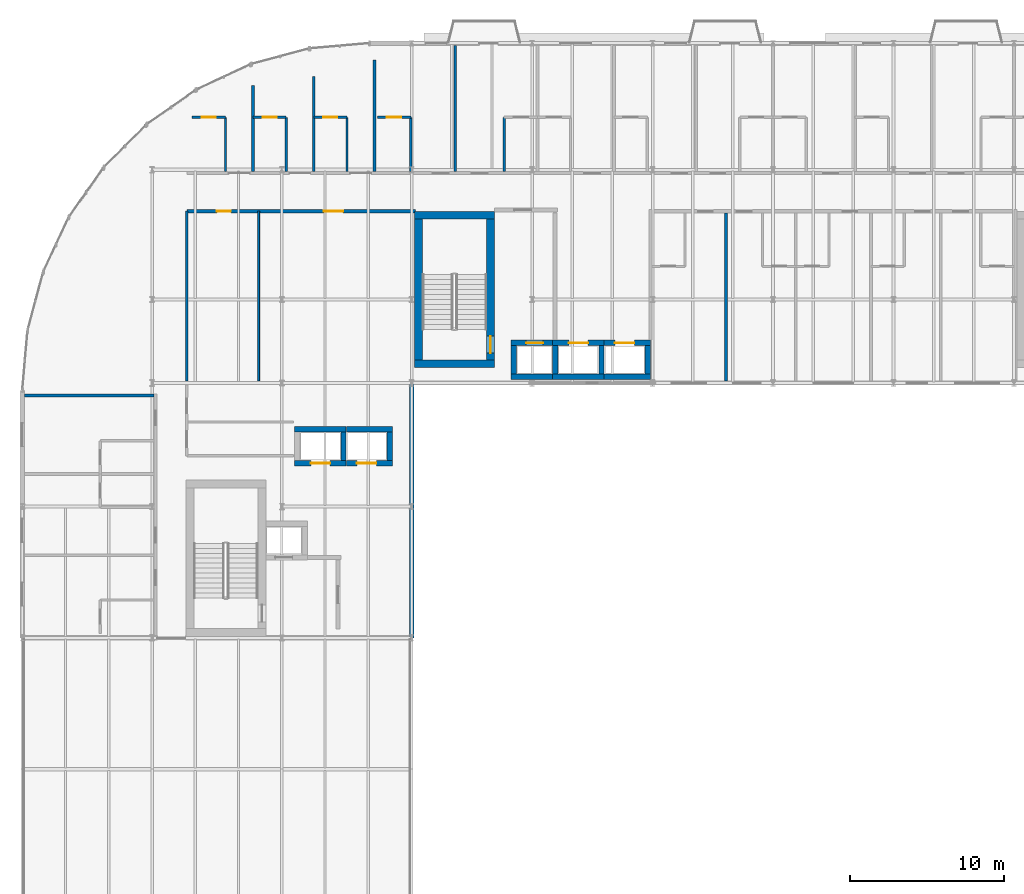
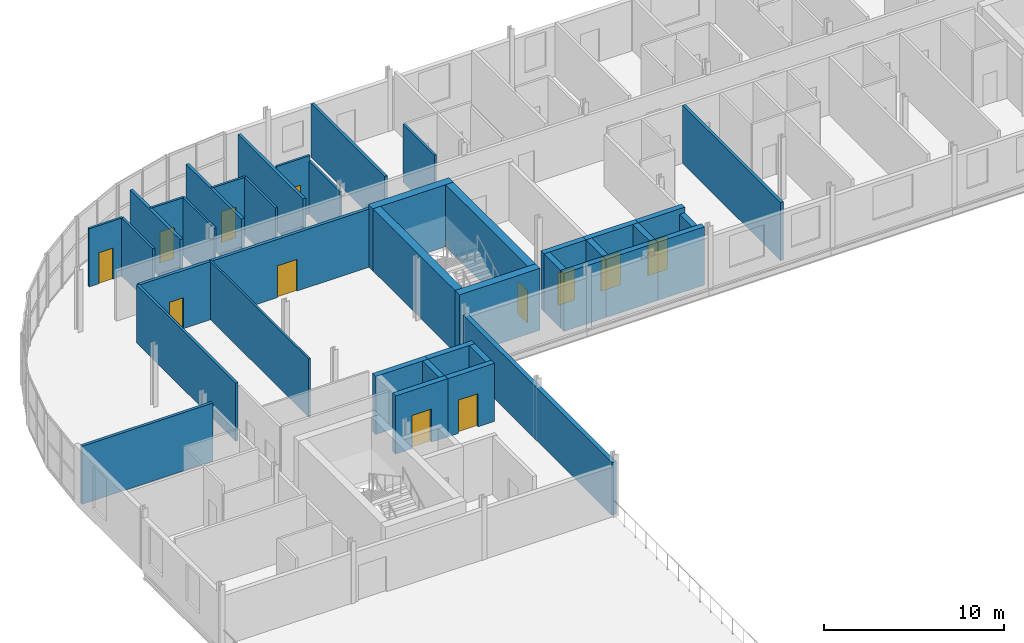
# One storey, part 12 of 22: 39 walls, 12 doors, 12 openings.
"""IFC4 building model written with IfcOpenShell, lengths in metres."""

from ifc_helpers import new_model, si_unit, direction, frame, frame_2d, origin, place, context, subcontext, project, spatial, rectangle, extrude, material, layer, layer_set, type_object, element, fill, save


model = new_model("IFC4")

# Units and contexts
model_context = context("Model", 3, precision=1e-05, world=origin(), true_north=direction((0.0, 1.0)))
body_context = subcontext(model_context, "Body", "Model", "MODEL_VIEW")
ifc_project = project(units=[si_unit("LENGTHUNIT", "METRE"), si_unit("AREAUNIT", "SQUARE_METRE"), si_unit("VOLUMEUNIT", "CUBIC_METRE"), si_unit("PLANEANGLEUNIT", "RADIAN"), si_unit("MASSUNIT", "GRAM", prefix="KILO")], contexts=[model_context])

# Site, building, storey
site_placement = place(None, origin())
site = spatial("IfcSite", under=ifc_project, at=site_placement, CompositionType="ELEMENT")
building_placement = place(site_placement, origin())
building = spatial("IfcBuilding", under=site, at=building_placement, Name="Sefraquen Railside Congress Hotel", CompositionType="ELEMENT")
storey_placement = place(building_placement, frame((0.0, 0.0, 42.60009765625)))
storey = spatial("IfcBuildingStorey", under=building, at=storey_placement, Name="L10", CompositionType="ELEMENT", Elevation=42.60009765625)

# Wall, opening, door
ifc_material_1 = material(Name="Concrete C50/60", Category="concrete")
ifc_layer_1 = layer(ifc_material_1, 0.35009765625)
ifc_layer_set_1 = layer_set([ifc_layer_1], Name="Concrete C50/60")
wall_type_1 = type_object("IfcWallType", Name="TW-CW-350", PredefinedType="SHEAR", material=ifc_layer_set_1)
wall_1_placement = place(storey_placement, frame((31.639892578125, 98.594970703125, 0.0), z_axis=(0.0, 0.0, 1.0), x_axis=(1.0, 0.0, 0.0)))
wall_1 = element("IfcWall", 1, at=wall_1_placement, inside=storey, type_object=wall_type_1, Name="Lift FL-02 shaft wall N L10", PredefinedType="SHEAR", context=body_context, shape_type="SweptSolid", body=[
    extrude(rectangle(XDim=2.690185546875, YDim=0.35009765625, at=frame_2d((1.34521484375, 0.0))), origin(), (0.0, 0.0, 1.0), 3.93994140625),
])
opening_1_placement = place(wall_1_placement, frame((0.969970703125, 0.0, 0.0)))
opening_1 = element("IfcOpeningElement", 2, at=opening_1_placement, cuts=wall_1, Name="Opening LD-01", PredefinedType="OPENING", context=body_context, shape_type="SweptSolid", body=[
    extrude(rectangle(XDim=1.10009765625, YDim=2.199951171875, at=frame_2d((0.550048828125, 1.10009765625))), frame((0.0, 0.18505859375, 0.0), z_axis=(0.0, -1.0, 0.0), x_axis=(1.0, 0.0, 0.0)), (0.0, 0.0, 1.0), 0.3701171875),
])
ifc_material_2 = material(Name="Brushed bronze stainless steel", Category="steel")
door_type_1 = type_object("IfcDoorType", Name="TD-LD-01", OperationType="NOTDEFINED", PredefinedType="DOOR", material=ifc_material_2)
door_1_placement = place(opening_1_placement, origin())
door_1 = element("IfcDoor", 3, at=door_1_placement, inside=storey, type_object=door_type_1, Name="Lift landing door FL-02 L10", OperationType="SLIDING_TO_LEFT", OverallHeight=2.199951171875, OverallWidth=1.10009765625, PredefinedType="DOOR", context=body_context, shape_type="SweptSolid", body=[
    extrude(rectangle(XDim=1.10009765625, YDim=2.199951171875, at=frame_2d((0.550048828125, 1.10009765625))), frame((0.0, 0.02490234375, 0.0), z_axis=(0.0, -1.0, 0.0), x_axis=(1.0, 0.0, 0.0)), (0.0, 0.0, 1.0), 0.050048828125),
])
fill(opening_1, door_1)

# Walls
wall_2_placement = place(storey_placement, frame((31.639892578125, 96.405029296875, 0.0), z_axis=(0.0, 0.0, 1.0), x_axis=(1.0, 0.0, 0.0)))
element("IfcWall", 4, at=wall_2_placement, inside=storey, type_object=wall_type_1, Name="Lift FL-02 shaft wall S L10", PredefinedType="SHEAR", context=body_context, shape_type="SweptSolid", body=[
    extrude(rectangle(XDim=2.690185546875, YDim=0.35009765625, at=frame_2d((1.34521484375, 0.0))), origin(), (0.0, 0.0, 1.0), 3.93994140625),
])
wall_3_placement = place(storey_placement, frame((31.81494140625, 96.580078125, 0.0), z_axis=(0.0, 0.0, 1.0), x_axis=(0.0, 1.0, 0.0)))
element("IfcWall", 5, at=wall_3_placement, inside=storey, type_object=wall_type_1, Name="Lift FL-02 shaft wall W L10", PredefinedType="SHEAR", context=body_context, shape_type="SweptSolid", body=[
    extrude(rectangle(XDim=1.83984375, YDim=0.35009765625, at=frame_2d((0.919921875, 0.0))), origin(), (0.0, 0.0, 1.0), 3.93994140625),
])
wall_4_placement = place(storey_placement, frame((17.6298828125, 92.9951171875, 0.0), z_axis=(0.0, 0.0, 1.0), x_axis=(1.0, 0.0, 0.0)))
element("IfcWall", 6, at=wall_4_placement, inside=storey, type_object=wall_type_1, Name="Lift PL-01 shaft wall N L10", PredefinedType="SHEAR", context=body_context, shape_type="SweptSolid", body=[
    extrude(rectangle(XDim=3.340087890625, YDim=0.35009765625, at=frame_2d((1.669921875, 0.0))), origin(), (0.0, 0.0, 1.0), 3.93994140625),
])

# Wall, opening, door
wall_5_placement = place(storey_placement, frame((17.6298828125, 90.804931640625, 0.0), z_axis=(0.0, 0.0, 1.0), x_axis=(1.0, 0.0, 0.0)))
wall_5 = element("IfcWall", 7, at=wall_5_placement, inside=storey, type_object=wall_type_1, Name="Lift PL-01 shaft wall S L10", PredefinedType="SHEAR", context=body_context, shape_type="SweptSolid", body=[
    extrude(rectangle(XDim=3.340087890625, YDim=0.35009765625, at=frame_2d((1.669921875, 0.0))), origin(), (0.0, 0.0, 1.0), 3.93994140625),
])
opening_2_placement = place(wall_5_placement, frame((1.044921875, 0.0, 0.0)))
opening_2 = element("IfcOpeningElement", 8, at=opening_2_placement, cuts=wall_5, Name="Opening LD-02", PredefinedType="OPENING", context=body_context, shape_type="SweptSolid", body=[
    extrude(rectangle(XDim=1.25, YDim=2.25, at=frame_2d((0.625, 1.125))), frame((0.0, 0.18505859375, 0.0), z_axis=(0.0, -1.0, 0.0), x_axis=(1.0, 0.0, 0.0)), (0.0, 0.0, 1.0), 0.3701171875),
])
ifc_material_3 = material(Name="Brushed stainless steel", Category="steel")
door_type_2 = type_object("IfcDoorType", Name="TD-LD-02", OperationType="NOTDEFINED", PredefinedType="DOOR", material=ifc_material_3)
door_2_placement = place(opening_2_placement, origin())
door_2 = element("IfcDoor", 9, at=door_2_placement, inside=storey, type_object=door_type_2, Name="Lift landing door PL-01 L10", OperationType="SLIDING_TO_LEFT", OverallHeight=2.25, OverallWidth=1.25, PredefinedType="DOOR", context=body_context, shape_type="SweptSolid", body=[
    extrude(rectangle(XDim=1.25, YDim=2.25, at=frame_2d((0.625, 1.125))), frame((0.0, 0.02490234375, 0.0), z_axis=(0.0, -1.0, 0.0), x_axis=(1.0, 0.0, 0.0)), (0.0, 0.0, 1.0), 0.050048828125),
])
fill(opening_2, door_2)

# Walls
wall_6_placement = place(storey_placement, frame((20.794921875, 90.97998046875, 0.0), z_axis=(0.0, 0.0, 1.0), x_axis=(0.0, 1.0, 0.0)))
element("IfcWall", 10, at=wall_6_placement, inside=storey, type_object=wall_type_1, Name="Lift PL-01 shaft wall E L10", PredefinedType="SHEAR", context=body_context, shape_type="SweptSolid", body=[
    extrude(rectangle(XDim=1.840087890625, YDim=0.35009765625, at=frame_2d((0.919921875, 0.0))), origin(), (0.0, 0.0, 1.0), 3.93994140625),
])
wall_7_placement = place(storey_placement, frame((20.969970703125, 92.9951171875, 0.0), z_axis=(0.0, 0.0, 1.0), x_axis=(1.0, 0.0, 0.0)))
element("IfcWall", 11, at=wall_7_placement, inside=storey, type_object=wall_type_1, Name="Lift PL-02 shaft wall N L10", PredefinedType="SHEAR", context=body_context, shape_type="SweptSolid", body=[
    extrude(rectangle(XDim=2.989990234375, YDim=0.35009765625, at=frame_2d((1.4951171875, 0.0))), origin(), (0.0, 0.0, 1.0), 3.93994140625),
])

# Wall, opening, door
wall_8_placement = place(storey_placement, frame((20.969970703125, 90.804931640625, 0.0), z_axis=(0.0, 0.0, 1.0), x_axis=(1.0, 0.0, 0.0)))
wall_8 = element("IfcWall", 12, at=wall_8_placement, inside=storey, type_object=wall_type_1, Name="Lift PL-02 shaft wall S L10", PredefinedType="SHEAR", context=body_context, shape_type="SweptSolid", body=[
    extrude(rectangle(XDim=2.989990234375, YDim=0.35009765625, at=frame_2d((1.4951171875, 0.0))), origin(), (0.0, 0.0, 1.0), 3.93994140625),
])
opening_3_placement = place(wall_8_placement, frame((0.695068359375, 0.0, 0.0)))
opening_3 = element("IfcOpeningElement", 13, at=opening_3_placement, cuts=wall_8, Name="Opening LD-02", PredefinedType="OPENING", context=body_context, shape_type="SweptSolid", body=[
    extrude(rectangle(XDim=1.25, YDim=2.25, at=frame_2d((0.625, 1.125))), frame((0.0, 0.18505859375, 0.0), z_axis=(0.0, -1.0, 0.0), x_axis=(1.0, 0.0, 0.0)), (0.0, 0.0, 1.0), 0.3701171875),
])
door_3_placement = place(opening_3_placement, origin())
door_3 = element("IfcDoor", 14, at=door_3_placement, inside=storey, type_object=door_type_2, Name="Lift landing door PL-02 L10", OperationType="SLIDING_TO_LEFT", OverallHeight=2.25, OverallWidth=1.25, PredefinedType="DOOR", context=body_context, shape_type="SweptSolid", body=[
    extrude(rectangle(XDim=1.25, YDim=2.25, at=frame_2d((0.625, 1.125))), frame((0.0, 0.02490234375, 0.0), z_axis=(0.0, -1.0, 0.0), x_axis=(1.0, 0.0, 0.0)), (0.0, 0.0, 1.0), 0.050048828125),
])
fill(opening_3, door_3)

# Wall
wall_9_placement = place(storey_placement, frame((23.784912109375, 90.97998046875, 0.0), z_axis=(0.0, 0.0, 1.0), x_axis=(0.0, 1.0, 0.0)))
element("IfcWall", 15, at=wall_9_placement, inside=storey, type_object=wall_type_1, Name="Lift PL-02 shaft wall E L10", PredefinedType="SHEAR", context=body_context, shape_type="SweptSolid", body=[
    extrude(rectangle(XDim=1.840087890625, YDim=0.35009765625, at=frame_2d((0.919921875, 0.0))), origin(), (0.0, 0.0, 1.0), 3.93994140625),
])

# Wall, opening, door
wall_10_placement = place(storey_placement, frame((34.330078125, 98.594970703125, 0.0), z_axis=(0.0, 0.0, 1.0), x_axis=(1.0, 0.0, 0.0)))
wall_10 = element("IfcWall", 16, at=wall_10_placement, inside=storey, type_object=wall_type_1, Name="Lift PL-03 shaft wall N L10", PredefinedType="SHEAR", context=body_context, shape_type="SweptSolid", body=[
    extrude(rectangle(XDim=3.33984375, YDim=0.35009765625, at=frame_2d((1.669921875, 0.0))), origin(), (0.0, 0.0, 1.0), 3.93994140625),
])
opening_4_placement = place(wall_10_placement, frame((1.044921875, 0.0, 0.0)))
opening_4 = element("IfcOpeningElement", 17, at=opening_4_placement, cuts=wall_10, Name="Opening LD-02", PredefinedType="OPENING", context=body_context, shape_type="SweptSolid", body=[
    extrude(rectangle(XDim=1.25, YDim=2.25, at=frame_2d((0.625, 1.125))), frame((0.0, 0.18505859375, 0.0), z_axis=(0.0, -1.0, 0.0), x_axis=(1.0, 0.0, 0.0)), (0.0, 0.0, 1.0), 0.3701171875),
])
door_4_placement = place(opening_4_placement, origin())
door_4 = element("IfcDoor", 18, at=door_4_placement, inside=storey, type_object=door_type_2, Name="Lift landing door PL-03 L10", OperationType="SLIDING_TO_LEFT", OverallHeight=2.25, OverallWidth=1.25, PredefinedType="DOOR", context=body_context, shape_type="SweptSolid", body=[
    extrude(rectangle(XDim=1.25, YDim=2.25, at=frame_2d((0.625, 1.125))), frame((0.0, 0.02490234375, 0.0), z_axis=(0.0, -1.0, 0.0), x_axis=(1.0, 0.0, 0.0)), (0.0, 0.0, 1.0), 0.050048828125),
])
fill(opening_4, door_4)

# Walls
wall_11_placement = place(storey_placement, frame((34.330078125, 96.405029296875, 0.0), z_axis=(0.0, 0.0, 1.0), x_axis=(1.0, 0.0, 0.0)))
element("IfcWall", 19, at=wall_11_placement, inside=storey, type_object=wall_type_1, Name="Lift PL-03 shaft wall S L10", PredefinedType="SHEAR", context=body_context, shape_type="SweptSolid", body=[
    extrude(rectangle(XDim=3.33984375, YDim=0.35009765625, at=frame_2d((1.669921875, 0.0))), origin(), (0.0, 0.0, 1.0), 3.93994140625),
])
for number, where, z_axis, x_axis, name in (
    (20, (34.5048828125, 96.580078125, 0.0), (0.0, 0.0, 1.0), (0.0, 1.0, 0.0), "Lift PL-03 shaft wall W L10"),
    (21, (37.4951171875, 96.580078125, 0.0), (0.0, 0.0, 1.0), (0.0, 1.0, 0.0), "Lift PL-03 shaft wall E L10"),
):
    element("IfcWall", number, at=place(storey_placement, frame(where, z_axis=z_axis, x_axis=x_axis)), inside=storey, type_object=wall_type_1, Name=name, PredefinedType="SHEAR", context=body_context, shape_type="SweptSolid", body=[
        extrude(rectangle(XDim=1.83984375, YDim=0.35009765625, at=frame_2d((0.919921875, 0.0))), origin(), (0.0, 0.0, 1.0), 3.93994140625),
    ])

# Wall, opening, door
wall_12_placement = place(storey_placement, frame((37.669921875, 98.594970703125, 0.0), z_axis=(0.0, 0.0, 1.0), x_axis=(1.0, 0.0, 0.0)))
wall_12 = element("IfcWall", 22, at=wall_12_placement, inside=storey, type_object=wall_type_1, Name="Lift PL-04 shaft wall N L10", PredefinedType="SHEAR", context=body_context, shape_type="SweptSolid", body=[
    extrude(rectangle(XDim=2.989990234375, YDim=0.35009765625, at=frame_2d((1.4951171875, 0.0))), origin(), (0.0, 0.0, 1.0), 3.93994140625),
])
opening_5_placement = place(wall_12_placement, frame((0.695068359375, 0.0, 0.0)))
opening_5 = element("IfcOpeningElement", 23, at=opening_5_placement, cuts=wall_12, Name="Opening LD-02", PredefinedType="OPENING", context=body_context, shape_type="SweptSolid", body=[
    extrude(rectangle(XDim=1.25, YDim=2.25, at=frame_2d((0.625, 1.125))), frame((0.0, 0.18505859375, 0.0), z_axis=(0.0, -1.0, 0.0), x_axis=(1.0, 0.0, 0.0)), (0.0, 0.0, 1.0), 0.3701171875),
])
door_5_placement = place(opening_5_placement, origin())
door_5 = element("IfcDoor", 24, at=door_5_placement, inside=storey, type_object=door_type_2, Name="Lift landing door PL-04 L10", OperationType="SLIDING_TO_LEFT", OverallHeight=2.25, OverallWidth=1.25, PredefinedType="DOOR", context=body_context, shape_type="SweptSolid", body=[
    extrude(rectangle(XDim=1.25, YDim=2.25, at=frame_2d((0.625, 1.125))), frame((0.0, 0.02490234375, 0.0), z_axis=(0.0, -1.0, 0.0), x_axis=(1.0, 0.0, 0.0)), (0.0, 0.0, 1.0), 0.050048828125),
])
fill(opening_5, door_5)

# Walls
wall_13_placement = place(storey_placement, frame((37.669921875, 96.405029296875, 0.0), z_axis=(0.0, 0.0, 1.0), x_axis=(1.0, 0.0, 0.0)))
element("IfcWall", 25, at=wall_13_placement, inside=storey, type_object=wall_type_1, Name="Lift PL-04 shaft wall S L10", PredefinedType="SHEAR", context=body_context, shape_type="SweptSolid", body=[
    extrude(rectangle(XDim=2.989990234375, YDim=0.35009765625, at=frame_2d((1.4951171875, 0.0))), origin(), (0.0, 0.0, 1.0), 3.93994140625),
])
wall_14_placement = place(storey_placement, frame((40.485107421875, 96.580078125, 0.0), z_axis=(0.0, 0.0, 1.0), x_axis=(0.0, 1.0, 0.0)))
element("IfcWall", 26, at=wall_14_placement, inside=storey, type_object=wall_type_1, Name="Lift PL-04 shaft wall E L10", PredefinedType="SHEAR", context=body_context, shape_type="SweptSolid", body=[
    extrude(rectangle(XDim=1.83984375, YDim=0.35009765625, at=frame_2d((0.919921875, 0.0))), origin(), (0.0, 0.0, 1.0), 3.56982421875),
])
ifc_layer_2 = layer(ifc_material_1, 0.5)
ifc_layer_set_2 = layer_set([ifc_layer_2], Name="Concrete C50/60")
wall_type_2 = type_object("IfcWallType", Name="TW-CW-500", PredefinedType="SHEAR", material=ifc_layer_set_2)
for number, where, z_axis, x_axis, name in (
    (27, (25.39990234375, 106.862060546875, 0.0), (0.0, 0.0, 1.0), (1.0, 0.0, 0.0), "Core shear wall ST-H02 N L10"),
    (28, (25.39990234375, 97.25, 0.0), (0.0, 0.0, 1.0), (1.0, 0.0, 0.0), "Core shear wall ST-H02 S L10"),
):
    element("IfcWall", number, at=place(storey_placement, frame(where, z_axis=z_axis, x_axis=x_axis)), inside=storey, type_object=wall_type_2, Name=name, PredefinedType="SHEAR", context=body_context, shape_type="SweptSolid", body=[
        extrude(rectangle(XDim=5.16015625, YDim=0.5, at=frame_2d((2.580078125, 0.0))), origin(), (0.0, 0.0, 1.0), 4.199951171875),
    ])
wall_15_placement = place(storey_placement, frame((25.64990234375, 97.5, 0.0), z_axis=(0.0, 0.0, 1.0), x_axis=(0.0, 1.0, 0.0)))
element("IfcWall", 29, at=wall_15_placement, inside=storey, type_object=wall_type_2, Name="Core shear wall ST-H02 W L10", PredefinedType="SHEAR", context=body_context, shape_type="SweptSolid", body=[
    extrude(rectangle(XDim=9.112060546875, YDim=0.5, at=frame_2d((4.55615234375, 0.0))), origin(), (0.0, 0.0, 1.0), 4.199951171875),
])

# Wall, opening, door
wall_16_placement = place(storey_placement, frame((30.31005859375, 97.5, 0.0), z_axis=(0.0, 0.0, 1.0), x_axis=(0.0, 1.0, 0.0)))
wall_16 = element("IfcWall", 30, at=wall_16_placement, inside=storey, type_object=wall_type_2, Name="Core shear wall ST-H02 E L10", PredefinedType="SHEAR", context=body_context, shape_type="SweptSolid", body=[
    extrude(rectangle(XDim=9.112060546875, YDim=0.5, at=frame_2d((4.55615234375, 0.0))), origin(), (0.0, 0.0, 1.0), 4.199951171875),
])
opening_6_placement = place(wall_16_placement, frame((0.43994140625, 0.0, 0.0)))
opening_6 = element("IfcOpeningElement", 31, at=opening_6_placement, cuts=wall_16, Name="Opening FD-04", PredefinedType="OPENING", context=body_context, shape_type="SweptSolid", body=[
    extrude(rectangle(XDim=1.10009765625, YDim=2.199951171875, at=frame_2d((0.550048828125, 1.10009765625))), frame((0.0, 0.260009765625, 0.0), z_axis=(0.0, -1.0, 0.0), x_axis=(1.0, 0.0, 0.0)), (0.0, 0.0, 1.0), 0.52001953125),
])
ifc_material_4 = material(Name="Fire-rated steel", Category="steel")
door_type_3 = type_object("IfcDoorType", Name="TD-FD-04", OperationType="NOTDEFINED", PredefinedType="DOOR", material=ifc_material_4)
door_6_placement = place(opening_6_placement, origin())
door_6 = element("IfcDoor", 32, at=door_6_placement, inside=storey, type_object=door_type_3, Name="Pressurized stair ST-H02 fire door L10", OperationType="SINGLE_SWING_RIGHT", OverallHeight=2.199951171875, OverallWidth=1.10009765625, PredefinedType="DOOR", context=body_context, shape_type="SweptSolid", body=[
    extrude(rectangle(XDim=1.10009765625, YDim=2.199951171875, at=frame_2d((0.550048828125, 1.10009765625))), frame((0.0, 0.02490234375, 0.0), z_axis=(0.0, -1.0, 0.0), x_axis=(1.0, 0.0, 0.0)), (0.0, 0.0, 1.0), 0.050048828125),
])
fill(opening_6, door_6)

# Walls
ifc_material_5 = material(Name="Ochre Rabat calcarenite limestone and Concrete C40/50 backing", Category="masonry")
ifc_layer_3 = layer(ifc_material_5, 0.280029296875)
ifc_layer_set_3 = layer_set([ifc_layer_3], Name="Ochre Rabat calcarenite limestone and Concrete C40/50 backing")
wall_type_3 = type_object("IfcWallType", Name="TW-EW-280", PredefinedType="STANDARD", material=ifc_layer_set_3)
wall_17_placement = place(storey_placement, frame((25.199951171875, 79.5, 0.0), z_axis=(0.0, 0.0, 1.0), x_axis=(0.0, 1.0, 0.0)))
element("IfcWall", 33, at=wall_17_placement, inside=storey, type_object=wall_type_3, Name="Hotel L10 courtyard return wall", PredefinedType="STANDARD", context=body_context, shape_type="SweptSolid", body=[
    extrude(rectangle(XDim=16.5, YDim=0.280029296875, at=frame_2d((8.25, 0.0))), origin(), (0.0, 0.0, 1.0), 3.56982421875),
])
ifc_material_6 = material(Name="Gypsum board on metal stud", Category="gypsum")
ifc_layer_4 = layer(ifc_material_6, 0.1201171875)
ifc_layer_set_4 = layer_set([ifc_layer_4], Name="Gypsum board on metal stud")
wall_type_4 = type_object("IfcWallType", Name="TW-PW-120", PredefinedType="PARTITIONING", material=ifc_layer_set_4)
wall_18_placement = place(storey_placement, frame((15.300048828125, 96.139892578125, 0.0), z_axis=(0.0, 0.0, 1.0), x_axis=(0.0, 1.0, 0.0)))
element("IfcWall", 34, at=wall_18_placement, inside=storey, type_object=wall_type_4, Name="L10 WC-valet divider", PredefinedType="PARTITIONING", context=body_context, shape_type="SweptSolid", body=[
    extrude(rectangle(XDim=10.980224609375, YDim=0.1201171875, at=frame_2d((5.490234375, 0.0))), origin(), (0.0, 0.0, 1.0), 3.93994140625),
])
ifc_material_7 = material(Name="Moisture-resistant gypsum board", Category="gypsum")
ifc_layer_5 = layer(ifc_material_7, 0.139892578125)
ifc_layer_set_5 = layer_set([ifc_layer_5], Name="Moisture-resistant gypsum board")
wall_type_5 = type_object("IfcWallType", Name="TW-PW-140", PredefinedType="PARTITIONING", material=ifc_layer_set_5)
wall_19_placement = place(storey_placement, frame((25.14990234375, 109.699951171875, 0.0), z_axis=(0.0, 0.0, 1.0), x_axis=(0.0, 1.0, 0.0)))
element("IfcWall", 35, at=wall_19_placement, inside=storey, type_object=wall_type_5, Name="En-suite bathroom east wall RM-001", PredefinedType="PARTITIONING", context=body_context, shape_type="SweptSolid", body=[
    extrude(rectangle(XDim=3.5, YDim=0.139892578125, at=frame_2d((1.75, 0.0))), origin(), (0.0, 0.0, 1.0), 3.56982421875),
])

# Wall, opening, door
wall_20_placement = place(storey_placement, frame((23.0, 113.199951171875, 0.0), z_axis=(0.0, 0.0, 1.0), x_axis=(1.0, 0.0, 0.0)))
wall_20 = element("IfcWall", 36, at=wall_20_placement, inside=storey, type_object=wall_type_5, Name="En-suite bathroom north wall RM-001", PredefinedType="PARTITIONING", context=body_context, shape_type="SweptSolid", body=[
    extrude(rectangle(XDim=2.14990234375, YDim=0.139892578125, at=frame_2d((1.074951171875, 0.0))), origin(), (0.0, 0.0, 1.0), 3.93994140625),
])
opening_7_placement = place(wall_20_placement, frame((0.60498046875, 0.0, 0.0)))
opening_7 = element("IfcOpeningElement", 37, at=opening_7_placement, cuts=wall_20, Name="Opening ID-01", PredefinedType="OPENING", context=body_context, shape_type="SweptSolid", body=[
    extrude(rectangle(XDim=0.93994140625, YDim=2.14990234375, at=frame_2d((0.469970703125, 1.074951171875))), frame((0.0, 0.079833984375, 0.0), z_axis=(0.0, -1.0, 0.0), x_axis=(1.0, 0.0, 0.0)), (0.0, 0.0, 1.0), 0.159912109375),
])
ifc_material_8 = material(Name="Lacquered cedar joinery", Category="wood")
door_type_4 = type_object("IfcDoorType", Name="TD-ID-01", OperationType="NOTDEFINED", PredefinedType="DOOR", material=ifc_material_8)
door_7_placement = place(opening_7_placement, origin())
door_7 = element("IfcDoor", 38, at=door_7_placement, inside=storey, type_object=door_type_4, Name="En-suite bathroom door RM-001", OperationType="SINGLE_SWING_LEFT", OverallHeight=2.14990234375, OverallWidth=0.93994140625, PredefinedType="DOOR", context=body_context, shape_type="SweptSolid", body=[
    extrude(rectangle(XDim=0.93994140625, YDim=2.14990234375, at=frame_2d((0.469970703125, 1.074951171875))), frame((0.0, 0.02490234375, 0.0), z_axis=(0.0, -1.0, 0.0), x_axis=(1.0, 0.0, 0.0)), (0.0, 0.0, 1.0), 0.050048828125),
])
fill(opening_7, door_7)

# Walls
for number, where, z_axis, x_axis, name in (
    (39, (31.196044921875, 109.699951171875, 0.0), (0.0, 0.0, 1.0), (0.0, 1.0, 0.0), "En-suite bathroom west wall RM-002"),
    (40, (13.14990234375, 109.699951171875, 0.0), (0.0, 0.0, 1.0), (0.0, 1.0, 0.0), "En-suite bathroom east wall RM-026"),
):
    element("IfcWall", number, at=place(storey_placement, frame(where, z_axis=z_axis, x_axis=x_axis)), inside=storey, type_object=wall_type_5, Name=name, PredefinedType="PARTITIONING", context=body_context, shape_type="SweptSolid", body=[
        extrude(rectangle(XDim=3.5, YDim=0.139892578125, at=frame_2d((1.75, 0.0))), origin(), (0.0, 0.0, 1.0), 3.93994140625),
    ])

# Wall, opening, door
wall_21_placement = place(storey_placement, frame((11.0, 113.199951171875, 0.0), z_axis=(0.0, 0.0, 1.0), x_axis=(1.0, 0.0, 0.0)))
wall_21 = element("IfcWall", 41, at=wall_21_placement, inside=storey, type_object=wall_type_5, Name="En-suite bathroom north wall RM-026", PredefinedType="PARTITIONING", context=body_context, shape_type="SweptSolid", body=[
    extrude(rectangle(XDim=2.14990234375, YDim=0.139892578125, at=frame_2d((1.074951171875, 0.0))), origin(), (0.0, 0.0, 1.0), 3.93994140625),
])
opening_8_placement = place(wall_21_placement, frame((0.625, 0.0, 0.0)))
opening_8 = element("IfcOpeningElement", 42, at=opening_8_placement, cuts=wall_21, Name="Opening ID-02", PredefinedType="OPENING", context=body_context, shape_type="SweptSolid", body=[
    extrude(rectangle(XDim=0.89990234375, YDim=2.10009765625, at=frame_2d((0.449951171875, 1.050048828125))), frame((0.0, 0.079833984375, 0.0), z_axis=(0.0, -1.0, 0.0), x_axis=(1.0, 0.0, 0.0)), (0.0, 0.0, 1.0), 0.159912109375),
])
door_type_5 = type_object("IfcDoorType", Name="TD-ID-02", OperationType="NOTDEFINED", PredefinedType="DOOR", material=ifc_material_8)
door_8_placement = place(opening_8_placement, origin())
door_8 = element("IfcDoor", 43, at=door_8_placement, inside=storey, type_object=door_type_5, Name="En-suite bathroom door RM-026", OperationType="SINGLE_SWING_RIGHT", OverallHeight=2.10009765625, OverallWidth=0.89990234375, PredefinedType="DOOR", context=body_context, shape_type="SweptSolid", body=[
    extrude(rectangle(XDim=0.89990234375, YDim=2.10009765625, at=frame_2d((0.449951171875, 1.050048828125))), frame((0.0, 0.02490234375, 0.0), z_axis=(0.0, -1.0, 0.0), x_axis=(1.0, 0.0, 0.0)), (0.0, 0.0, 1.0), 0.050048828125),
])
fill(opening_8, door_8)

# Wall
wall_22_placement = place(storey_placement, frame((17.0830078125, 109.699951171875, 0.0), z_axis=(0.0, 0.0, 1.0), x_axis=(0.0, 1.0, 0.0)))
element("IfcWall", 44, at=wall_22_placement, inside=storey, type_object=wall_type_5, Name="En-suite bathroom east wall RM-027", PredefinedType="PARTITIONING", context=body_context, shape_type="SweptSolid", body=[
    extrude(rectangle(XDim=3.5, YDim=0.139892578125, at=frame_2d((1.75, 0.0))), origin(), (0.0, 0.0, 1.0), 3.93994140625),
])

# Wall, opening, door
wall_23_placement = place(storey_placement, frame((14.93310546875, 113.199951171875, 0.0), z_axis=(0.0, 0.0, 1.0), x_axis=(1.0, 0.0, 0.0)))
wall_23 = element("IfcWall", 45, at=wall_23_placement, inside=storey, type_object=wall_type_5, Name="En-suite bathroom north wall RM-027", PredefinedType="PARTITIONING", context=body_context, shape_type="SweptSolid", body=[
    extrude(rectangle(XDim=2.14990234375, YDim=0.139892578125, at=frame_2d((1.074951171875, 0.0))), origin(), (0.0, 0.0, 1.0), 3.93994140625),
])
opening_9_placement = place(wall_23_placement, frame((0.625, 0.0, 0.0)))
opening_9 = element("IfcOpeningElement", 46, at=opening_9_placement, cuts=wall_23, Name="Opening ID-02", PredefinedType="OPENING", context=body_context, shape_type="SweptSolid", body=[
    extrude(rectangle(XDim=0.89990234375, YDim=2.10009765625, at=frame_2d((0.449951171875, 1.050048828125))), frame((0.0, 0.079833984375, 0.0), z_axis=(0.0, -1.0, 0.0), x_axis=(1.0, 0.0, 0.0)), (0.0, 0.0, 1.0), 0.159912109375),
])
door_9_placement = place(opening_9_placement, origin())
door_9 = element("IfcDoor", 47, at=door_9_placement, inside=storey, type_object=door_type_5, Name="En-suite bathroom door RM-027", OperationType="SINGLE_SWING_LEFT", OverallHeight=2.10009765625, OverallWidth=0.89990234375, PredefinedType="DOOR", context=body_context, shape_type="SweptSolid", body=[
    extrude(rectangle(XDim=0.89990234375, YDim=2.10009765625, at=frame_2d((0.449951171875, 1.050048828125))), frame((0.0, 0.02490234375, 0.0), z_axis=(0.0, -1.0, 0.0), x_axis=(1.0, 0.0, 0.0)), (0.0, 0.0, 1.0), 0.050048828125),
])
fill(opening_9, door_9)

# Wall
wall_24_placement = place(storey_placement, frame((21.01708984375, 109.699951171875, 0.0), z_axis=(0.0, 0.0, 1.0), x_axis=(0.0, 1.0, 0.0)))
element("IfcWall", 48, at=wall_24_placement, inside=storey, type_object=wall_type_5, Name="En-suite bathroom east wall RM-028", PredefinedType="PARTITIONING", context=body_context, shape_type="SweptSolid", body=[
    extrude(rectangle(XDim=3.5, YDim=0.139892578125, at=frame_2d((1.75, 0.0))), origin(), (0.0, 0.0, 1.0), 3.93994140625),
])

# Wall, opening, door
wall_25_placement = place(storey_placement, frame((18.866943359375, 113.199951171875, 0.0), z_axis=(0.0, 0.0, 1.0), x_axis=(1.0, 0.0, 0.0)))
wall_25 = element("IfcWall", 49, at=wall_25_placement, inside=storey, type_object=wall_type_5, Name="En-suite bathroom north wall RM-028", PredefinedType="PARTITIONING", context=body_context, shape_type="SweptSolid", body=[
    extrude(rectangle(XDim=2.150146484375, YDim=0.139892578125, at=frame_2d((1.0751953125, 0.0))), origin(), (0.0, 0.0, 1.0), 3.93994140625),
])
opening_10_placement = place(wall_25_placement, frame((0.625, 0.0, 0.0)))
opening_10 = element("IfcOpeningElement", 50, at=opening_10_placement, cuts=wall_25, Name="Opening ID-02", PredefinedType="OPENING", context=body_context, shape_type="SweptSolid", body=[
    extrude(rectangle(XDim=0.89990234375, YDim=2.10009765625, at=frame_2d((0.449951171875, 1.050048828125))), frame((0.0, 0.079833984375, 0.0), z_axis=(0.0, -1.0, 0.0), x_axis=(1.0, 0.0, 0.0)), (0.0, 0.0, 1.0), 0.159912109375),
])
door_10_placement = place(opening_10_placement, origin())
door_10 = element("IfcDoor", 51, at=door_10_placement, inside=storey, type_object=door_type_5, Name="En-suite bathroom door RM-028", OperationType="SINGLE_SWING_RIGHT", OverallHeight=2.10009765625, OverallWidth=0.89990234375, PredefinedType="DOOR", context=body_context, shape_type="SweptSolid", body=[
    extrude(rectangle(XDim=0.89990234375, YDim=2.10009765625, at=frame_2d((0.449951171875, 1.050048828125))), frame((0.0, 0.02490234375, 0.0), z_axis=(0.0, -1.0, 0.0), x_axis=(1.0, 0.0, 0.0)), (0.0, 0.0, 1.0), 0.050048828125),
])
fill(opening_10, door_10)

# Walls
ifc_layer_6 = layer(ifc_material_7, 0.159912109375)
ifc_layer_set_6 = layer_set([ifc_layer_6], Name="Moisture-resistant gypsum board")
wall_type_6 = type_object("IfcWallType", Name="TW-PW-160", PredefinedType="PARTITIONING", material=ifc_layer_set_6)
wall_26_placement = place(storey_placement, frame((10.64990234375, 96.139892578125, 0.0), z_axis=(0.0, 0.0, 1.0), x_axis=(0.0, 1.0, 0.0)))
element("IfcWall", 52, at=wall_26_placement, inside=storey, type_object=wall_type_6, Name="L10 staff WC west enclosure", PredefinedType="PARTITIONING", context=body_context, shape_type="SweptSolid", body=[
    extrude(rectangle(XDim=10.980224609375, YDim=0.159912109375, at=frame_2d((5.490234375, 0.0))), origin(), (0.0, 0.0, 1.0), 3.93994140625),
])
ifc_material_9 = material(Name="Acoustic gypsum board on metal stud", Category="gypsum")
ifc_layer_7 = layer(ifc_material_9, 0.179931640625)
ifc_layer_set_7 = layer_set([ifc_layer_7], Name="Acoustic gypsum board on metal stud")
wall_type_7 = type_object("IfcWallType", Name="TW-PW-180", PredefinedType="PARTITIONING", material=ifc_layer_set_7)
wall_27_placement = place(storey_placement, frame((28.02294921875, 109.699951171875, 0.0), z_axis=(0.0, 0.0, 1.0), x_axis=(0.0, 1.0, 0.0)))
element("IfcWall", 53, at=wall_27_placement, inside=storey, type_object=wall_type_7, Name="Guest room demising wall RM-001", PredefinedType="PARTITIONING", context=body_context, shape_type="SweptSolid", body=[
    extrude(rectangle(XDim=8.150146484375, YDim=0.179931640625, at=frame_2d((4.0751953125, 0.0))), origin(), (0.0, 0.0, 1.0), 3.6298828125),
])
wall_28_placement = place(storey_placement, frame((45.56005859375, 96.139892578125, 0.0), z_axis=(0.0, 0.0, 1.0), x_axis=(0.0, 1.0, 0.0)))
element("IfcWall", 54, at=wall_28_placement, inside=storey, type_object=wall_type_7, Name="South guest room demising wall RM-015", PredefinedType="PARTITIONING", context=body_context, shape_type="SweptSolid", body=[
    extrude(rectangle(XDim=10.880126953125, YDim=0.179931640625, at=frame_2d((5.43994140625, 0.0))), origin(), (0.0, 0.0, 1.0), 3.93994140625),
])
wall_29_placement = place(storey_placement, frame((0.14990234375, 95.199951171875, 0.0), z_axis=(0.0, 0.0, 1.0), x_axis=(1.0, 0.0, 0.0)))
element("IfcWall", 55, at=wall_29_placement, inside=storey, type_object=wall_type_7, Name="West return guest room demising wall RM-025", PredefinedType="PARTITIONING", context=body_context, shape_type="SweptSolid", body=[
    extrude(rectangle(XDim=8.3701171875, YDim=0.179931640625, at=frame_2d((4.18505859375, 0.0))), origin(), (0.0, 0.0, 1.0), 3.93994140625),
])
wall_30_placement = place(storey_placement, frame((14.93310546875, 109.699951171875, 0.0), z_axis=(0.0, 0.0, 1.0), x_axis=(0.0, 1.0, 0.0)))
element("IfcWall", 56, at=wall_30_placement, inside=storey, type_object=wall_type_7, Name="Guest room demising wall RM-026", PredefinedType="PARTITIONING", context=body_context, shape_type="SweptSolid", body=[
    extrude(rectangle(XDim=5.550048828125, YDim=0.179931640625, at=frame_2d((2.77490234375, 0.0))), origin(), (0.0, 0.0, 1.0), 3.93994140625),
])
wall_31_placement = place(storey_placement, frame((18.866943359375, 109.699951171875, 0.0), z_axis=(0.0, 0.0, 1.0), x_axis=(0.0, 1.0, 0.0)))
element("IfcWall", 57, at=wall_31_placement, inside=storey, type_object=wall_type_7, Name="Guest room demising wall RM-027", PredefinedType="PARTITIONING", context=body_context, shape_type="SweptSolid", body=[
    extrude(rectangle(XDim=6.150146484375, YDim=0.179931640625, at=frame_2d((3.0751953125, 0.0))), origin(), (0.0, 0.0, 1.0), 3.93994140625),
])
wall_32_placement = place(storey_placement, frame((22.800048828125, 109.699951171875, 0.0), z_axis=(0.0, 0.0, 1.0), x_axis=(0.0, 1.0, 0.0)))
element("IfcWall", 58, at=wall_32_placement, inside=storey, type_object=wall_type_7, Name="Guest room demising wall RM-028", PredefinedType="PARTITIONING", context=body_context, shape_type="SweptSolid", body=[
    extrude(rectangle(XDim=7.199951171875, YDim=0.179931640625, at=frame_2d((3.60009765625, 0.0))), origin(), (0.0, 0.0, 1.0), 3.93994140625),
])

# Wall, openings, doors
ifc_layer_8 = layer(ifc_material_9, 0.199951171875)
ifc_layer_set_8 = layer_set([ifc_layer_8], Name="Acoustic gypsum board on metal stud")
wall_type_8 = type_object("IfcWallType", Name="TW-PW-200", PredefinedType="PARTITIONING", material=ifc_layer_set_8)
wall_33_placement = place(storey_placement, frame((10.64990234375, 107.1201171875, 0.0), z_axis=(0.0, 0.0, 1.0), x_axis=(1.0, 0.0, 0.0)))
wall_33 = element("IfcWall", 59, at=wall_33_placement, inside=storey, type_object=wall_type_8, Name="Hotel L10 south-west corridor fire-rated partition", PredefinedType="PARTITIONING", context=body_context, shape_type="SweptSolid", body=[
    extrude(rectangle(XDim=14.800048828125, YDim=0.199951171875, at=frame_2d((7.39990234375, 0.0))), origin(), (0.0, 0.0, 1.0), 3.93994140625),
])
opening_11_placement = place(wall_33_placement, frame((1.949951171875, 0.0, 0.0)))
opening_11 = element("IfcOpeningElement", 60, at=opening_11_placement, cuts=wall_33, Name="Opening ID-02", PredefinedType="OPENING", context=body_context, shape_type="SweptSolid", body=[
    extrude(rectangle(XDim=0.89990234375, YDim=2.10009765625, at=frame_2d((0.449951171875, 1.050048828125))), frame((0.0, 0.10986328125, 0.0), z_axis=(0.0, -1.0, 0.0), x_axis=(1.0, 0.0, 0.0)), (0.0, 0.0, 1.0), 0.219970703125),
])
opening_12_placement = place(wall_33_placement, frame((8.875, 0.0, 0.0)))
opening_12 = element("IfcOpeningElement", 61, at=opening_12_placement, cuts=wall_33, Name="Opening ID-05", PredefinedType="OPENING", context=body_context, shape_type="SweptSolid", body=[
    extrude(rectangle(XDim=1.25, YDim=2.14990234375, at=frame_2d((0.625, 1.074951171875))), frame((0.0, 0.10986328125, 0.0), z_axis=(0.0, -1.0, 0.0), x_axis=(1.0, 0.0, 0.0)), (0.0, 0.0, 1.0), 0.219970703125),
])
door_11_placement = place(opening_11_placement, frame((0.89990234375, 0.0, 0.0), z_axis=(0.0, 0.0, 1.0), x_axis=(-1.0, 0.0, 0.0)))
door_11 = element("IfcDoor", 62, at=door_11_placement, inside=storey, type_object=door_type_5, Name="Hotel floor Staff WC door L10", OperationType="SINGLE_SWING_LEFT", OverallHeight=2.10009765625, OverallWidth=0.89990234375, PredefinedType="DOOR", context=body_context, shape_type="SweptSolid", body=[
    extrude(rectangle(XDim=0.89990234375, YDim=2.10009765625, at=frame_2d((0.449951171875, 1.050048828125))), frame((0.0, 0.02490234375, 0.0), z_axis=(0.0, -1.0, 0.0), x_axis=(1.0, 0.0, 0.0)), (0.0, 0.0, 1.0), 0.050048828125),
])
fill(opening_11, door_11)
ifc_material_10 = material(Name="Brushed steel", Category="steel")
door_type_6 = type_object("IfcDoorType", Name="TD-ID-05", OperationType="NOTDEFINED", PredefinedType="DOOR", material=ifc_material_10)
door_12_placement = place(opening_12_placement, frame((1.25, 0.0, 0.0), z_axis=(0.0, 0.0, 1.0), x_axis=(-1.0, 0.0, 0.0)))
door_12 = element("IfcDoor", 63, at=door_12_placement, inside=storey, type_object=door_type_6, Name="Valet pantry service door L10", OperationType="SINGLE_SWING_RIGHT", OverallHeight=2.14990234375, OverallWidth=1.25, PredefinedType="DOOR", context=body_context, shape_type="SweptSolid", body=[
    extrude(rectangle(XDim=1.25, YDim=2.14990234375, at=frame_2d((0.625, 1.074951171875))), frame((0.0, 0.02490234375, 0.0), z_axis=(0.0, -1.0, 0.0), x_axis=(1.0, 0.0, 0.0)), (0.0, 0.0, 1.0), 0.050048828125),
])
fill(opening_12, door_12)

save(model, "model.ifc")
